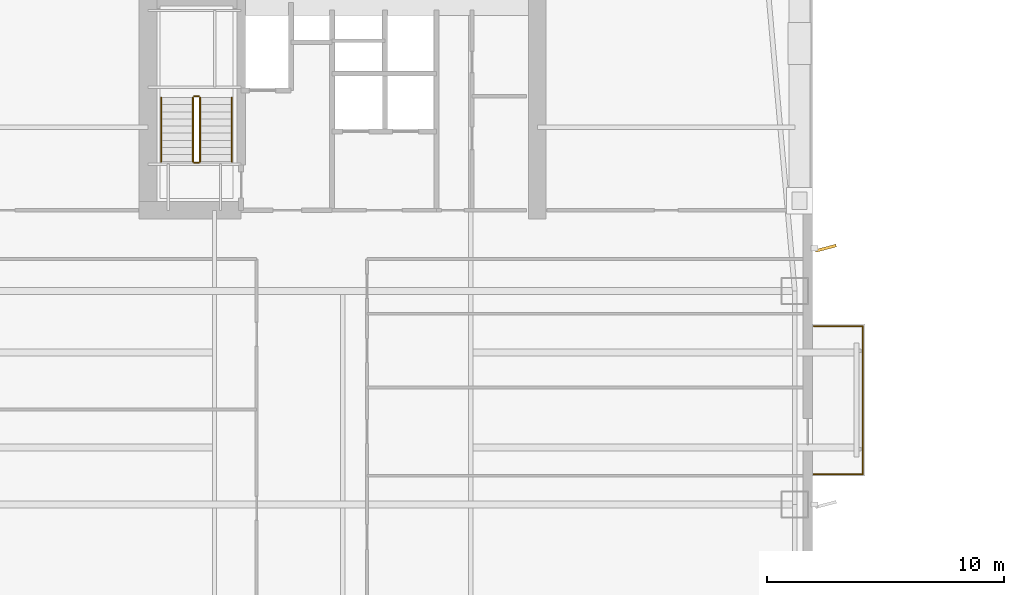
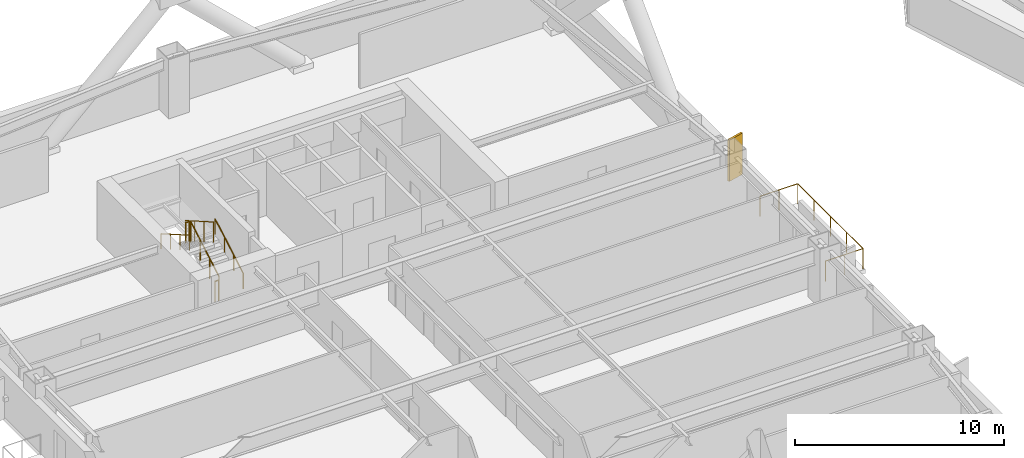
# One storey, part 15 of 18: 7 railings, 1 shading device.
"""IFC4 building model written with IfcOpenShell, lengths in metres."""

from ifc_helpers import new_model, si_unit, direction, frame, origin, origin_2d, place, context, subcontext, project, spatial, rectangle, circle, extrude, material, layer, layer_set, type_object, element, save


model = new_model("IFC4")

# Units and contexts
model_context = context("Model", 3, precision=1e-05, world=origin(), true_north=direction((0.0, 1.0)))
body_context = subcontext(model_context, "Body", "Model", "MODEL_VIEW")
ifc_project = project(units=[si_unit("LENGTHUNIT", "METRE"), si_unit("AREAUNIT", "SQUARE_METRE"), si_unit("VOLUMEUNIT", "CUBIC_METRE"), si_unit("PLANEANGLEUNIT", "RADIAN"), si_unit("MASSUNIT", "GRAM", prefix="KILO")], contexts=[model_context])

# Site, building, storey
site_placement = place(None, origin())
site = spatial("IfcSite", under=ifc_project, at=site_placement, CompositionType="ELEMENT")
building_placement = place(site_placement, origin())
building = spatial("IfcBuilding", under=site, at=building_placement, Name="Qiaolan Cultural Towers", CompositionType="ELEMENT")
storey_placement = place(building_placement, frame((0.0, 0.0, 57.5)))
storey = spatial("IfcBuildingStorey", under=building, at=storey_placement, Name="L13", CompositionType="ELEMENT", Elevation=57.5)

# Railings
ifc_material_1 = material(Name="Laminated SentryGlas & Stainless Steel S31608 Balustrade", Category="steel")
railing_type_1 = type_object("IfcRailingType", Name="GRD-TERR-1200", PredefinedType="BALUSTRADE", material=ifc_material_1)
railing_1_placement = place(storey_placement, frame((49.85009765625, 35.280029296875, 0.0)))
element("IfcRailing", 1, at=railing_1_placement, inside=storey, type_object=railing_type_1, Name="L13 T1 Tree Balcony Guardrail E", PredefinedType="BALUSTRADE", context=body_context, shape_type="SweptSolid", body=[
    extrude(circle(Radius=0.02392578125, at=origin_2d()), frame((0.0, 0.0, 1.17578125), z_axis=(1.0, 0.0, 0.0), x_axis=(0.0, 1.0, 0.0)), (0.0, 0.0, 1.0), 2.06982421875),
    extrude(circle(Radius=0.02392578125, at=origin_2d()), frame((2.06982421875, 0.0, 1.17578125), z_axis=(0.0, 1.0, 0.0), x_axis=(-1.0, 0.0, 0.0)), (0.0, 0.0, 1.0), 6.239990234375),
    extrude(circle(Radius=0.02392578125, at=origin_2d()), frame((2.06982421875, 6.239990234375, 1.17578125), z_axis=(-1.0, 0.0, 0.0), x_axis=(0.0, -1.0, 0.0)), (0.0, 0.0, 1.0), 2.06982421875),
    extrude(circle(Radius=0.02099609375, at=origin_2d()), origin(), (0.0, 0.0, 1.0), 1.15185546875),
    extrude(circle(Radius=0.02099609375, at=origin_2d()), frame((1.034912109375, 0.0, 0.0)), (0.0, 0.0, 1.0), 1.15185546875),
    extrude(circle(Radius=0.02099609375, at=origin_2d()), frame((2.06982421875, 0.0, 0.0)), (0.0, 0.0, 1.0), 1.15185546875),
    extrude(circle(Radius=0.02099609375, at=origin_2d()), frame((2.06982421875, 1.56005859375, 0.0)), (0.0, 0.0, 1.0), 1.15185546875),
    extrude(circle(Radius=0.02099609375, at=origin_2d()), frame((2.06982421875, 3.1201171875, 0.0)), (0.0, 0.0, 1.0), 1.15185546875),
    extrude(circle(Radius=0.02099609375, at=origin_2d()), frame((2.06982421875, 4.679931640625, 0.0)), (0.0, 0.0, 1.0), 1.15185546875),
    extrude(circle(Radius=0.02099609375, at=origin_2d()), frame((2.06982421875, 6.239990234375, 0.0)), (0.0, 0.0, 1.0), 1.15185546875),
    extrude(circle(Radius=0.02099609375, at=origin_2d()), frame((1.034912109375, 6.239990234375, 0.0)), (0.0, 0.0, 1.0), 1.15185546875),
    extrude(circle(Radius=0.02099609375, at=origin_2d()), frame((0.0, 6.239990234375, 0.0)), (0.0, 0.0, 1.0), 1.15185546875),
])
ifc_material_2 = material(Name="Galvanized Painted Steel Stair Guardrail", Category="steel")
railing_type_2 = type_object("IfcRailingType", Name="RL-STAIR-GRD", PredefinedType="GUARDRAIL", material=ifc_material_2)
railing_2_placement = place(storey_placement, frame((23.989990234375, 48.449951171875, 0.172607421875)))
element("IfcRailing", 2, at=railing_2_placement, inside=storey, type_object=railing_type_2, Name="L13 ST-W2 stair guard 1", PredefinedType="GUARDRAIL", context=body_context, shape_type="SweptSolid", body=[
    extrude(circle(Radius=0.02392578125, at=origin_2d()), frame((0.0, 0.0, 1.17578125), z_axis=(0.0, 0.866903762492, 0.498475542607), x_axis=(-1.0, 0.0, 0.0)), (0.0, 0.0, 1.0), 3.114501953125),
    extrude(circle(Radius=0.02099609375, at=origin_2d()), origin(), (0.0, 0.0, 1.0), 1.15185546875),
    extrude(circle(Radius=0.02099609375, at=origin_2d()), frame((0.0, 0.89990234375, 0.517578125)), (0.0, 0.0, 1.0), 1.15185546875),
    extrude(circle(Radius=0.02099609375, at=origin_2d()), frame((0.0, 1.800048828125, 1.034912109375)), (0.0, 0.0, 1.0), 1.15185546875),
    extrude(circle(Radius=0.02099609375, at=origin_2d()), frame((0.0, 2.699951171875, 1.552490234375)), (0.0, 0.0, 1.0), 1.15185546875),
])
railing_3_placement = place(storey_placement, frame((23.93994140625, 51.199951171875, 1.72509765625)))
element("IfcRailing", 3, at=railing_3_placement, inside=storey, type_object=railing_type_2, Name="L13 ST-W2 stair guard 2", PredefinedType="GUARDRAIL", context=body_context, shape_type="SweptSolid", body=[
    extrude(circle(Radius=0.02392578125, at=origin_2d()), frame((0.0, 0.0, 1.17578125), z_axis=(-1.0, 0.0, 0.0), x_axis=(0.0, -1.0, 0.0)), (0.0, 0.0, 1.0), 0.199951171875),
    extrude(circle(Radius=0.02099609375, at=origin_2d()), origin(), (0.0, 0.0, 1.0), 1.15185546875),
    extrude(circle(Radius=0.02099609375, at=origin_2d()), frame((-0.199951171875, 0.0, 0.0)), (0.0, 0.0, 1.0), 1.15185546875),
])
railing_4_placement = place(storey_placement, frame((23.68994140625, 51.14990234375, 1.8974609375)))
element("IfcRailing", 4, at=railing_4_placement, inside=storey, type_object=railing_type_2, Name="L13 ST-W2 stair guard 3", PredefinedType="GUARDRAIL", context=body_context, shape_type="SweptSolid", body=[
    extrude(circle(Radius=0.02392578125, at=origin_2d()), frame((0.0, 0.0, 1.17578125), z_axis=(0.0, -0.866903762492, 0.498475542607), x_axis=(1.0, 0.0, 0.0)), (0.0, 0.0, 1.0), 3.114501953125),
    extrude(circle(Radius=0.02099609375, at=origin_2d()), origin(), (0.0, 0.0, 1.0), 1.15185546875),
    extrude(circle(Radius=0.02099609375, at=origin_2d()), frame((0.0, -0.89990234375, 0.517578125)), (0.0, 0.0, 1.0), 1.15185546875),
    extrude(circle(Radius=0.02099609375, at=origin_2d()), frame((0.0, -1.800048828125, 1.034912109375)), (0.0, 0.0, 1.0), 1.15185546875),
    extrude(circle(Radius=0.02099609375, at=origin_2d()), frame((0.0, -2.699951171875, 1.552490234375)), (0.0, 0.0, 1.0), 1.15185546875),
])
railing_5_placement = place(storey_placement, frame((23.93994140625, 48.39990234375, 0.0)))
element("IfcRailing", 5, at=railing_5_placement, inside=storey, type_object=railing_type_2, Name="L13 ST-W2 stair guard 4", PredefinedType="GUARDRAIL", context=body_context, shape_type="SweptSolid", body=[
    extrude(circle(Radius=0.02392578125, at=origin_2d()), frame((0.0, 0.0, 1.17578125), z_axis=(-1.0, 0.0, 0.0), x_axis=(0.0, -1.0, 0.0)), (0.0, 0.0, 1.0), 0.199951171875),
    extrude(circle(Radius=0.02099609375, at=origin_2d()), origin(), (0.0, 0.0, 1.0), 1.15185546875),
    extrude(circle(Radius=0.02099609375, at=origin_2d()), frame((-0.199951171875, 0.0, 0.0)), (0.0, 0.0, 1.0), 1.15185546875),
])
ifc_material_3 = material(Name="Stainless Steel S30408 Tubular Handrail", Category="steel")
railing_type_3 = type_object("IfcRailingType", Name="RL-STAIR-HR", PredefinedType="HANDRAIL", material=ifc_material_3)
railing_6_placement = place(storey_placement, frame((25.330078125, 48.449951171875, 0.172607421875)))
element("IfcRailing", 6, at=railing_6_placement, inside=storey, type_object=railing_type_3, Name="L13 ST-W2 stair handrail 1", PredefinedType="HANDRAIL", context=body_context, shape_type="SweptSolid", body=[
    extrude(circle(Radius=0.02392578125, at=origin_2d()), frame((0.0, 0.0, 0.8759765625), z_axis=(0.0, 0.866903762492, 0.498475542607), x_axis=(-1.0, 0.0, 0.0)), (0.0, 0.0, 1.0), 3.114501953125),
    extrude(circle(Radius=0.02099609375, at=origin_2d()), origin(), (0.0, 0.0, 1.0), 0.851806640625),
    extrude(circle(Radius=0.02099609375, at=origin_2d()), frame((0.0, 0.89990234375, 0.517578125)), (0.0, 0.0, 1.0), 0.851806640625),
    extrude(circle(Radius=0.02099609375, at=origin_2d()), frame((0.0, 1.800048828125, 1.034912109375)), (0.0, 0.0, 1.0), 0.851806640625),
    extrude(circle(Radius=0.02099609375, at=origin_2d()), frame((0.0, 2.699951171875, 1.552490234375)), (0.0, 0.0, 1.0), 0.851806640625),
])
railing_7_placement = place(storey_placement, frame((22.35009765625, 51.14990234375, 1.8974609375)))
element("IfcRailing", 7, at=railing_7_placement, inside=storey, type_object=railing_type_3, Name="L13 ST-W2 stair handrail 2", PredefinedType="HANDRAIL", context=body_context, shape_type="SweptSolid", body=[
    extrude(circle(Radius=0.02392578125, at=origin_2d()), frame((0.0, 0.0, 0.8759765625), z_axis=(0.0, -0.866903762492, 0.498475542607), x_axis=(1.0, 0.0, 0.0)), (0.0, 0.0, 1.0), 3.114501953125),
    extrude(circle(Radius=0.02099609375, at=origin_2d()), origin(), (0.0, 0.0, 1.0), 0.851806640625),
    extrude(circle(Radius=0.02099609375, at=origin_2d()), frame((0.0, -0.89990234375, 0.517578125)), (0.0, 0.0, 1.0), 0.851806640625),
    extrude(circle(Radius=0.02099609375, at=origin_2d()), frame((0.0, -1.800048828125, 1.034912109375)), (0.0, 0.0, 1.0), 0.851806640625),
    extrude(circle(Radius=0.02099609375, at=origin_2d()), frame((0.0, -2.699951171875, 1.552490234375)), (0.0, 0.0, 1.0), 0.851806640625),
])

# Shading device
ifc_material_4 = material(Name="Dark Basalt Honed Precast Terracotta Fin", Category="masonry")
ifc_layer = layer(ifc_material_4, 0.1201171875)
ifc_layer_set = layer_set([ifc_layer], Name="Dark Basalt Honed Precast Terracotta Fin")
shading_device_type = type_object("IfcShadingDeviceType", Name="SHD-FIN-DARK", PredefinedType="USERDEFINED", material=ifc_layer_set)
shading_device_placement = place(storey_placement, frame((50.360107421875, 44.800048828125, 0.10009765625), z_axis=(0.0, 0.0, 1.0), x_axis=(0.966947591282, 0.254975206077, 0.0)))
element("IfcShadingDevice", 8, at=shading_device_placement, inside=storey, type_object=shading_device_type, Name="L13 T1 Expressive Precast Vertical Fin E3", ObjectType="FIN", PredefinedType="USERDEFINED", context=body_context, shape_type="SweptSolid", body=[
    extrude(rectangle(XDim=0.89990234375, YDim=0.1201171875, at=origin_2d()), origin(), (0.0, 0.0, 1.0), 2.409912109375),
])

save(model, "model.ifc")
